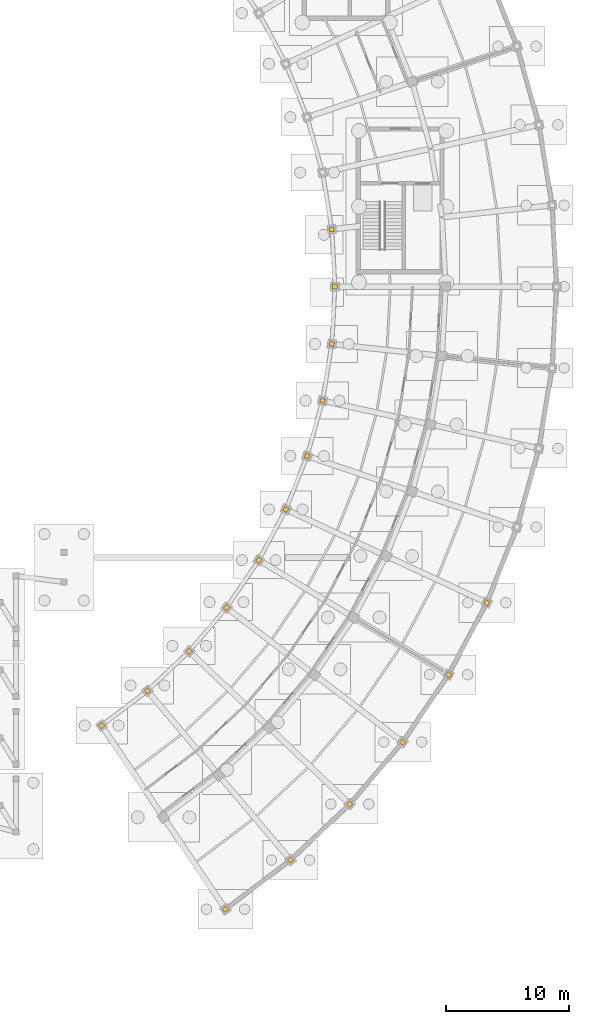
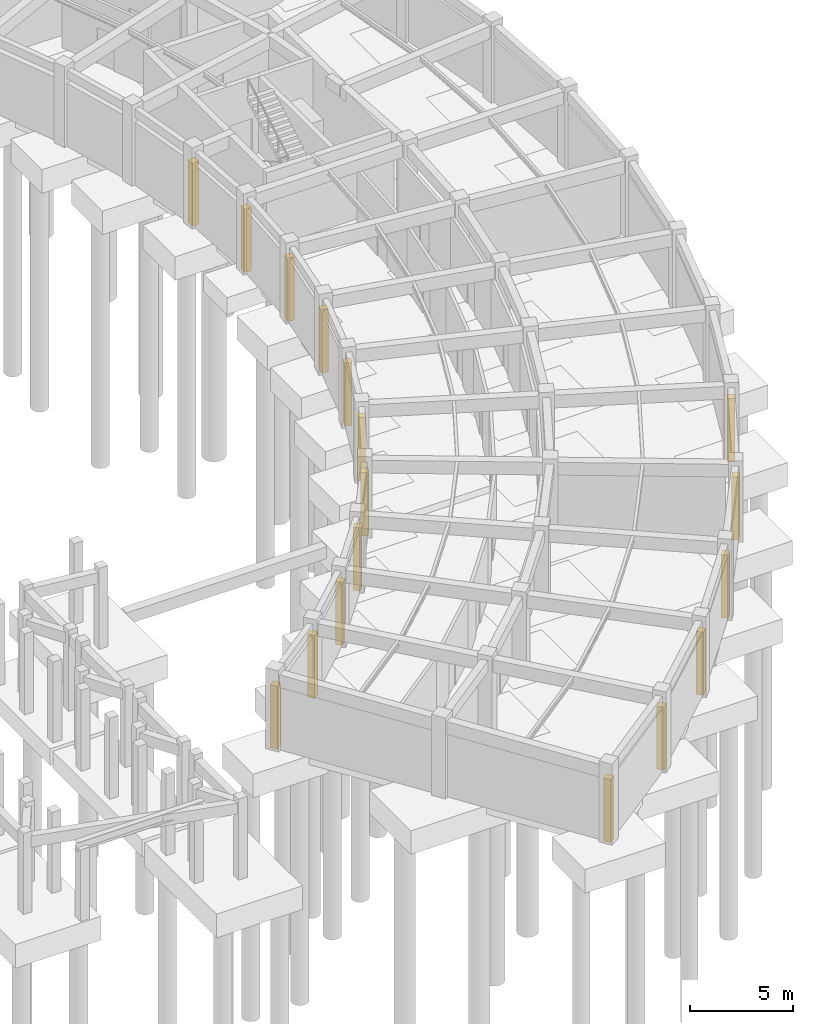
# One storey, part 39 of 42: 17 coverings.
"""IFC4 building model written with IfcOpenShell, lengths in metres."""

from ifc_helpers import new_model, si_unit, direction, frame, origin, origin_2d, place, context, subcontext, project, spatial, rectangle, extrude, material, layer, layer_set, type_object, element, save


model = new_model("IFC4")

# Units and contexts
model_context = context("Model", 3, precision=1e-05, world=origin(), true_north=direction((0.0, 1.0)))
body_context = subcontext(model_context, "Body", "Model", "MODEL_VIEW")
ifc_project = project(units=[si_unit("LENGTHUNIT", "METRE"), si_unit("AREAUNIT", "SQUARE_METRE"), si_unit("VOLUMEUNIT", "CUBIC_METRE"), si_unit("PLANEANGLEUNIT", "RADIAN"), si_unit("MASSUNIT", "GRAM", prefix="KILO")], contexts=[model_context])

# Site, building, storey
site_placement = place(None, origin())
site = spatial("IfcSite", under=ifc_project, at=site_placement, CompositionType="ELEMENT")
building_placement = place(site_placement, origin())
building = spatial("IfcBuilding", under=site, at=building_placement, Name="Tarnveldt Headland Concert Hall", CompositionType="ELEMENT")
storey_placement = place(building_placement, frame((0.0, 0.0, -4.800048828125)))
storey = spatial("IfcBuildingStorey", under=building, at=storey_placement, Name="B1", CompositionType="ELEMENT", Elevation=-4.800048828125)

# Coverings
ifc_material = material(Name="Coral-toned precast concrete C40/50", Category="concrete")
ifc_layer = layer(ifc_material, 0.360107421875, Name="Coral-toned precast concrete C40/50", Category="concrete")
ifc_layer_set = layer_set([ifc_layer], Name="Coral-toned precast concrete C40/50")
covering_type = type_object("IfcCoveringType", Name="CV-JNT360", PredefinedType="CLADDING", material=ifc_layer_set)
for number, where, z_axis, x_axis, name in (
    (1, (141.54541015625, 24.351318359375, 0.0), (0.0, 0.0, 1.0), (0.797478637023, 0.603347183213, 0.0), "Precast facade joint closure pilaster B1-74"),
    (2, (145.267333984375, 27.16748046875, 0.0), (0.0, 0.0, 1.0), (0.797478637023, 0.603347183213, 0.0), "Precast facade joint closure pilaster B1-76"),
    (3, (148.662353515625, 30.37060546875, 0.0), (0.0, 0.0, 1.0), (0.727413564262, 0.686199319824, 0.0), "Precast facade joint closure pilaster B1-78"),
    (4, (151.61083984375, 9.4287109375, 0.0), (0.0, 0.0, 1.0), (-0.797478637023, -0.603347183213, 0.0), "Precast facade joint closure pilaster B1-80"),
    (5, (151.690185546875, 33.922607421875, 0.0), (0.0, 0.0, 1.0), (0.648651397111, 0.761085648942, 0.0), "Precast facade joint closure pilaster B1-82"),
    (6, (154.315185546875, 37.781982421875, 0.0), (0.0, 0.0, 1.0), (0.562372049186, 0.826884319778, 0.0), "Precast facade joint closure pilaster B1-84"),
    (7, (156.50634765625, 41.903076171875, 0.0), (0.0, 0.0, 1.0), (0.469471562786, 0.882947592859, 0.0), "Precast facade joint closure pilaster B1-86"),
    (8, (156.89111328125, 13.423583984375, 0.0), (0.0, 0.0, 1.0), (-0.797478637023, -0.603347183213, 0.0), "Precast facade joint closure pilaster B1-88"),
    (9, (158.238037109375, 46.2373046875, 0.0), (0.0, 0.0, 1.0), (0.371043710237, 0.928615402141, 0.0), "Precast facade joint closure pilaster B1-90"),
    (10, (159.48974609375, 50.73388671875, 0.0), (0.0, 0.0, 1.0), (0.268079200424, 0.963396876837, 0.0), "Precast facade joint closure pilaster B1-92"),
    (11, (160.24658203125, 55.33935546875, 0.0), (0.0, 0.0, 1.0), (0.162120515372, 0.986770965572, 0.0), "Precast facade joint closure pilaster B1-94"),
    (12, (160.24658203125, 64.66064453125, 0.0), (0.0, 0.0, 1.0), (-0.054253089686, 0.998527216584, 0.0), "Precast facade joint closure pilaster B1-95"),
    (13, (160.5, 60.0, 0.0), (0.0, 0.0, 1.0), (0.054253089686, 0.998527216584, 0.0), "Precast facade joint closure pilaster B1-96"),
    (14, (161.70703125, 17.967529296875, 0.0), (0.0, 0.0, 1.0), (-0.727413564262, -0.686199319824, 0.0), "Precast facade joint closure pilaster B1-97"),
    (15, (166.00244140625, 23.006591796875, 0.0), (0.0, 0.0, 1.0), (-0.648651397111, -0.761085648942, 0.0), "Precast facade joint closure pilaster B1-99"),
    (16, (169.726318359375, 28.481201171875, 0.0), (0.0, 0.0, 1.0), (-0.562372049186, -0.826884319778, 0.0), "Precast facade joint closure pilaster B1-101"),
    (17, (172.834716796875, 34.327392578125, 0.0), (0.0, 0.0, 1.0), (-0.469471562786, -0.882947592859, 0.0), "Precast facade joint closure pilaster B1-103"),
):
    element("IfcCovering", number, at=place(storey_placement, frame(where, z_axis=z_axis, x_axis=x_axis)), inside=storey, type_object=covering_type, Name=name, PredefinedType="CLADDING", context=body_context, shape_type="SweptSolid", body=[
        extrude(rectangle(XDim=0.3798828125, YDim=0.3798828125, at=origin_2d()), origin(), (0.0, 0.0, 1.0), 3.738037109375),
    ])

save(model, "model.ifc")
